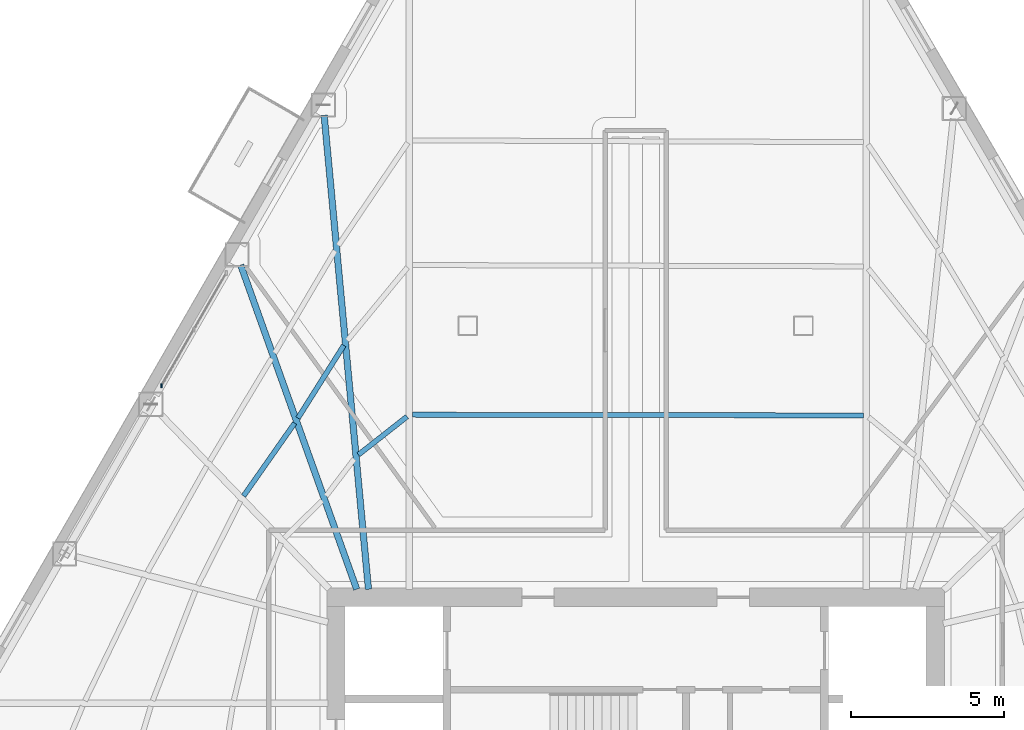
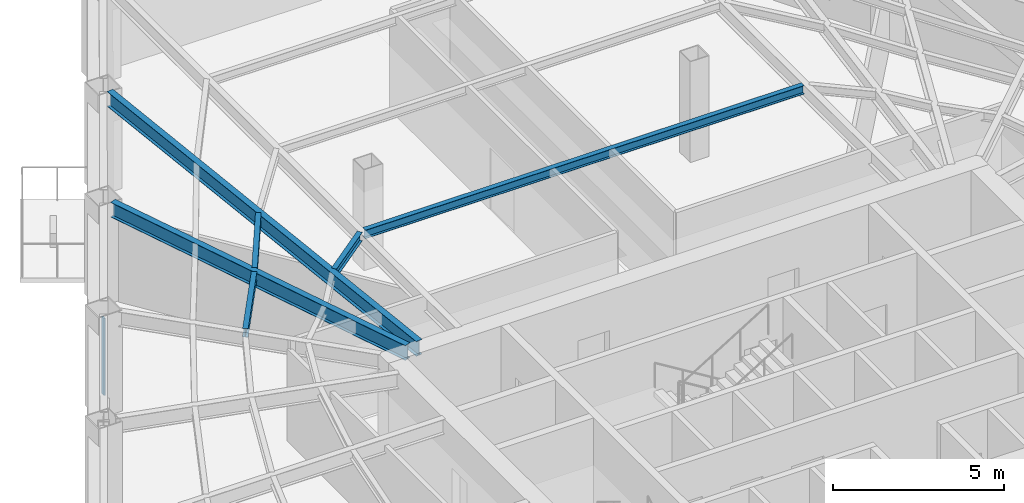
# One storey, part 2 of 16: 6 beams, 1 member, 1 element without a shape of its own.
"""IFC4 building model written with IfcOpenShell, lengths in metres."""

from ifc_helpers import new_model, si_unit, direction, frame, origin, origin_2d, place, context, subcontext, project, spatial, rectangle, i_section, extrude, material, layer, layer_set, material_profile, profile_set, type_object, element, aggregate, save


model = new_model("IFC4")

# Units and contexts
model_context = context("Model", 3, precision=1e-05, world=origin(), true_north=direction((0.0, 1.0)))
body_context = subcontext(model_context, "Body", "Model", "MODEL_VIEW")
ifc_project = project(units=[si_unit("LENGTHUNIT", "METRE"), si_unit("AREAUNIT", "SQUARE_METRE"), si_unit("VOLUMEUNIT", "CUBIC_METRE"), si_unit("PLANEANGLEUNIT", "RADIAN"), si_unit("MASSUNIT", "GRAM", prefix="KILO")], contexts=[model_context])

# Site, building, storey
site_placement = place(None, origin())
site = spatial("IfcSite", under=ifc_project, at=site_placement, CompositionType="ELEMENT")
building_placement = place(site_placement, origin())
building = spatial("IfcBuilding", under=site, at=building_placement, Name="Kavelnor Concourse Tower", CompositionType="ELEMENT")
storey_placement = place(building_placement, frame((0.0, 0.0, 48.35009765625)))
storey = spatial("IfcBuildingStorey", under=building, at=storey_placement, Name="L12", CompositionType="ELEMENT", Elevation=48.35009765625)

# Beams
ifc_material_1 = material(Name="Steel Grade 350", Category="steel")
ifc_material_profile_1 = material_profile(ifc_material_1, i_section(OverallWidth=0.166015625, OverallDepth=0.306884765625, WebThickness=0.006591796875, FlangeThickness=0.01171875, at=origin_2d()), Name="310UB46")
ifc_profile_set_1 = profile_set([ifc_material_profile_1], Name="Steel Grade 350")
beam_type_1 = type_object("IfcBeamType", Name="BM-JOIST-310", PredefinedType="JOIST", material=ifc_profile_set_1)
beam_1_placement = place(storey_placement, frame((45.466796875, 28.85986328125, 3.4365234375), z_axis=(-0.99999876932, 0.001568871618, 0.0), x_axis=(-0.001568871618, -0.99999876932, 0.0)))
element("IfcBeam", 1, at=beam_1_placement, inside=storey, type_object=beam_type_1, Name="L12 Secondary Composite Joist 15-1", PredefinedType="JOIST", context=body_context, shape_type="SweptSolid", body=[
    extrude(i_section(OverallWidth=0.166015625, OverallDepth=0.306884765625, WebThickness=0.006591796875, FlangeThickness=0.01171875, at=origin_2d()), origin(), (0.0, 0.0, 1.0), 14.783447265625),
])
beam_2_placement = place(storey_placement, frame((30.50732421875, 28.822265625, 3.4365234375), z_axis=(-0.786468861882, -0.617629929075, 0.0), x_axis=(0.617629929075, -0.786468861882, 0.0)))
element("IfcBeam", 2, at=beam_2_placement, inside=storey, type_object=beam_type_1, Name="L12 Secondary Composite Joist 16-1", PredefinedType="JOIST", context=body_context, shape_type="SweptSolid", body=[
    extrude(i_section(OverallWidth=0.166015625, OverallDepth=0.306884765625, WebThickness=0.006591796875, FlangeThickness=0.01171875, at=origin_2d()), origin(), (0.0, 0.0, 1.0), 2.02587890625),
])
beam_3_placement = place(storey_placement, frame((28.435302734375, 31.1552734375, 3.4365234375), z_axis=(-0.533304967036, -0.845923053318, 0.0), x_axis=(0.845923053318, -0.533304967036, 0.0)))
element("IfcBeam", 3, at=beam_3_placement, inside=storey, type_object=beam_type_1, Name="L12 Secondary Composite Joist 17-2", PredefinedType="JOIST", context=body_context, shape_type="SweptSolid", body=[
    extrude(i_section(OverallWidth=0.166015625, OverallDepth=0.306884765625, WebThickness=0.006591796875, FlangeThickness=0.01171875, at=origin_2d()), origin(), (0.0, 0.0, 1.0), 2.817626953125),
])
beam_4_placement = place(storey_placement, frame((26.823486328125, 28.60791015625, 3.4365234375), z_axis=(-0.574068663627, -0.818807162549, 0.0), x_axis=(0.818807162549, -0.574068663627, 0.0)))
element("IfcBeam", 4, at=beam_4_placement, inside=storey, type_object=beam_type_1, Name="L12 Secondary Composite Joist 18-2", PredefinedType="JOIST", context=body_context, shape_type="SweptSolid", body=[
    extrude(i_section(OverallWidth=0.166015625, OverallDepth=0.306884765625, WebThickness=0.006591796875, FlangeThickness=0.01171875, at=origin_2d()), origin(), (0.0, 0.0, 1.0), 2.91796875),
])
ifc_material_profile_2 = material_profile(ifc_material_1, i_section(OverallWidth=0.208984375, OverallDepth=0.528076171875, WebThickness=0.009521484375, FlangeThickness=0.01318359375, at=origin_2d()), Name="530UB82")
ifc_profile_set_2 = profile_set([ifc_material_profile_2], Name="Steel Grade 350")
beam_type_2 = type_object("IfcBeamType", Name="BM-PRIMARY-530", PredefinedType="BEAM", material=ifc_profile_set_2)
beam_5_placement = place(storey_placement, frame((29.243408203125, 23.16015625, 3.325927734375), z_axis=(-0.09311434966, 0.995655421261, 0.0), x_axis=(-0.995655421261, -0.09311434966, 0.0)))
element("IfcBeam", 5, at=beam_5_placement, inside=storey, type_object=beam_type_2, Name="L12 Primary Floor Girder F0-B1", PredefinedType="BEAM", context=body_context, shape_type="SweptSolid", body=[
    extrude(i_section(OverallWidth=0.208984375, OverallDepth=0.528076171875, WebThickness=0.009521484375, FlangeThickness=0.01318359375, at=origin_2d()), origin(), (0.0, 0.0, 1.0), 15.603271484375),
])
beam_6_placement = place(storey_placement, frame((28.85693359375, 23.162353515625, 3.325927734375), z_axis=(-0.336833759044, 0.941564134177, 0.0), x_axis=(-0.941564134177, -0.336833759044, 0.0)))
element("IfcBeam", 6, at=beam_6_placement, inside=storey, type_object=beam_type_2, Name="L12 Primary Floor Girder F0-B2", PredefinedType="BEAM", context=body_context, shape_type="SweptSolid", body=[
    extrude(i_section(OverallWidth=0.208984375, OverallDepth=0.528076171875, WebThickness=0.009521484375, FlangeThickness=0.01318359375, at=origin_2d()), origin(), (0.0, 0.0, 1.0), 11.286865234375),
])

# Curtain wall, member
ifc_material_2 = material(Name="Anodised aluminium 6063-T6", Category="aluminium")
ifc_layer = layer(ifc_material_2, 0.139892578125, Name="Anodised aluminium 6063-T6")
ifc_layer_set = layer_set([ifc_layer], Name="Anodised aluminium 6063-T6")
curtain_wall_type = type_object("IfcCurtainWallType", Name="CW-TERRACE-PAVILION", PredefinedType="NOTDEFINED", material=ifc_layer_set)
curtain_wall_placement = place(storey_placement, origin())
curtain_wall = element("IfcCurtainWall", 7, at=curtain_wall_placement, inside=storey, type_object=curtain_wall_type, Name="L12 Terrace Pavilion Curtain Wall", PredefinedType="NOTDEFINED")
ifc_material_profile_3 = material_profile(ifc_material_2, rectangle(XDim=0.054931640625, YDim=0.139892578125, at=origin_2d()), Name="AL-MULL 55x140")
ifc_profile_set_3 = profile_set([ifc_material_profile_3], Name="Anodised aluminium 6063-T6")
member_type = type_object("IfcMemberType", Name="CW-TERRACE-PAVILION-MULL", PredefinedType="MULLION", material=ifc_profile_set_3)
member_placement = place(storey_placement, frame((22.4560546875, 29.83447265625, 0.0), z_axis=(0.0, 0.0, 1.0), x_axis=(1.0, 0.0, 0.0)))
member = element("IfcMember", 8, at=member_placement, type_object=member_type, Name="L12 Terrace Pavilion Curtain Wall Mullion 2", PredefinedType="MULLION", context=body_context, shape_type="SweptSolid", body=[
    extrude(rectangle(XDim=0.054931640625, YDim=0.139892578125, at=origin_2d()), origin(), (0.0, 0.0, 1.0), 2.75),
])
aggregate(curtain_wall, [member])

save(model, "model.ifc")
